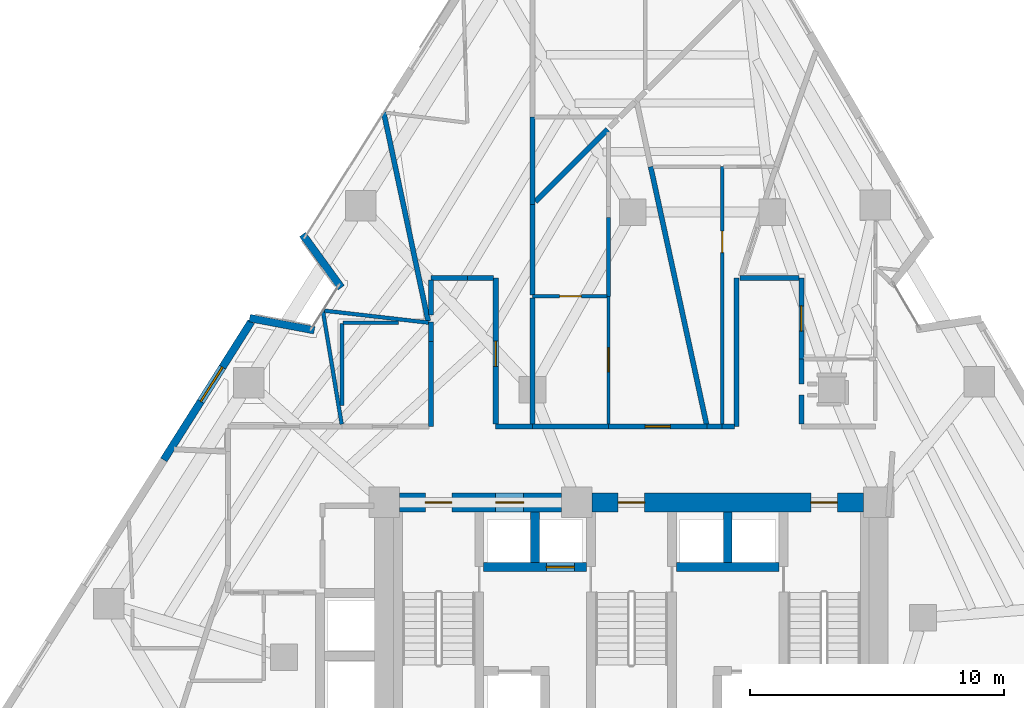
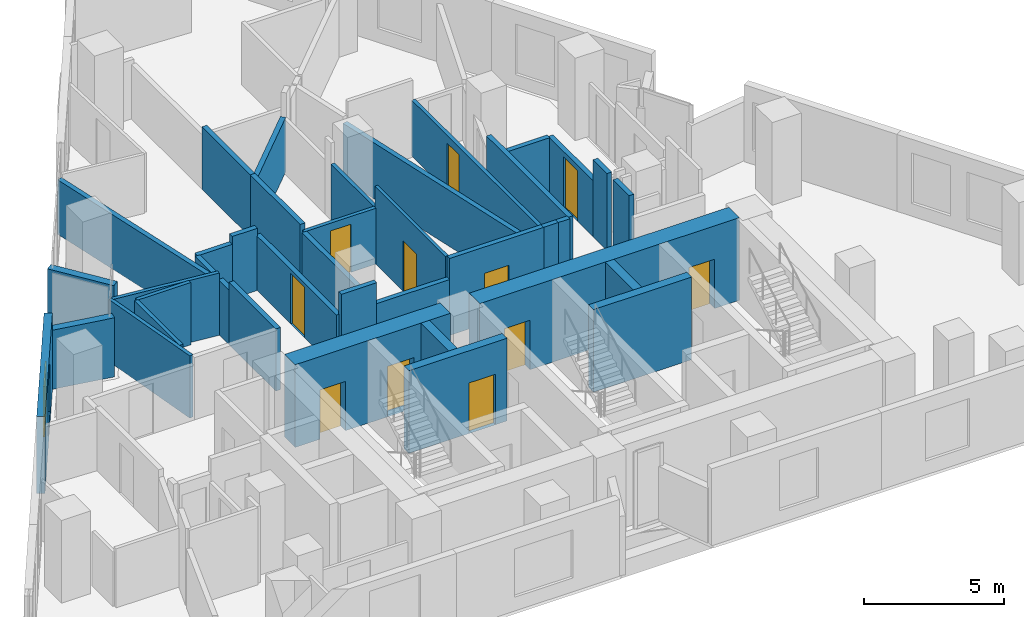
# One storey, part 7 of 12: 39 walls, 11 doors, 1 window, 12 openings.
"""IFC4 building model written with IfcOpenShell, lengths in metres."""

from ifc_helpers import new_model, si_unit, direction, frame, frame_2d, origin, place, context, subcontext, project, spatial, rectangle, extrude, material, layer, layer_set, type_object, element, fill, save


model = new_model("IFC4")

# Units and contexts
model_context = context("Model", 3, precision=1e-05, world=origin(), true_north=direction((0.0, 1.0)))
body_context = subcontext(model_context, "Body", "Model", "MODEL_VIEW")
ifc_project = project(units=[si_unit("LENGTHUNIT", "METRE"), si_unit("AREAUNIT", "SQUARE_METRE"), si_unit("VOLUMEUNIT", "CUBIC_METRE"), si_unit("PLANEANGLEUNIT", "RADIAN"), si_unit("MASSUNIT", "GRAM", prefix="KILO")], contexts=[model_context])

# Site, building, storey
site_placement = place(None, origin())
site = spatial("IfcSite", under=ifc_project, at=site_placement, CompositionType="ELEMENT")
building_placement = place(site_placement, origin())
building = spatial("IfcBuilding", under=site, at=building_placement, Name="Almagre Mirador Tower", CompositionType="ELEMENT")
storey_placement = place(building_placement, frame((0.0, 0.0, 114.0)))
storey = spatial("IfcBuildingStorey", under=building, at=storey_placement, Name="L28", CompositionType="ELEMENT", Elevation=114.0)

# Walls
ifc_material_1 = material(Name="Precast concrete C50/60", Category="concrete")
ifc_layer_1 = layer(ifc_material_1, 0.300048828125)
ifc_layer_set_1 = layer_set([ifc_layer_1], Name="Precast concrete C50/60")
wall_type_1 = type_object("IfcWallType", Name="WAL-EXT-300", PredefinedType="SOLIDWALL", material=ifc_layer_set_1)
for number, where, z_axis, x_axis, name in (
    (1, (22.246337890625, 22.02099609375, 0.0), (0.0, 0.0, 1.0), (0.982733402646, -0.185027185367, 0.0), "L28 expressed almagre precast frame wall 01"),
    (2, (25.8583984375, 23.2197265625, 0.0), (0.0, 0.0, 1.0), (-0.587763102288, 0.809033086832, 0.0), "L28 expressed almagre precast frame wall 02"),
):
    element("IfcWall", number, at=place(storey_placement, frame(where, z_axis=z_axis, x_axis=x_axis)), inside=storey, type_object=wall_type_1, Name=name, PredefinedType="SOLIDWALL", context=body_context, shape_type="SweptSolid", body=[
        extrude(rectangle(XDim=2.593994140625, YDim=0.300048828125, at=frame_2d((1.296875, 0.0))), origin(), (0.0, 0.0, 1.0), 2.574951171875),
    ])

# Wall, opening, window
wall_1_placement = place(storey_placement, frame((18.860595703125, 16.429443359375, 0.0), z_axis=(0.0, 0.0, 1.0), x_axis=(0.534891708764, 0.844920623429, 0.0)))
wall_1 = element("IfcWall", 3, at=wall_1_placement, inside=storey, type_object=wall_type_1, Name="L28 expressed almagre precast frame wall 35", PredefinedType="SOLIDWALL", context=body_context, shape_type="SweptSolid", body=[
    extrude(rectangle(XDim=6.447021484375, YDim=0.300048828125, at=frame_2d((3.2236328125, 0.0))), origin(), (0.0, 0.0, 1.0), 3.35009765625),
])
opening_1_placement = place(wall_1_placement, frame((2.72509765625, 0.0, 0.550048828125)))
opening_1 = element("IfcOpeningElement", 4, at=opening_1_placement, cuts=wall_1, Name="Opening WN-06", PredefinedType="OPENING", context=body_context, shape_type="SweptSolid", body=[
    extrude(rectangle(XDim=1.60009765625, YDim=2.199951171875, at=frame_2d((0.800048828125, 1.10009765625))), frame((0.0, 0.159902, 0.0), z_axis=(0.0, -1.0, 0.0), x_axis=(1.0, 0.0, 0.0)), (0.0, 0.0, 1.0), 0.320049),
])
ifc_material_2 = material(Name="Dark solar-control laminated hurricane glass", Category="glass")
window_type = type_object("IfcWindowType", Name="WIN-1600X2200", PartitioningType="DOUBLE_PANEL_VERTICAL", PredefinedType="WINDOW", material=ifc_material_2)
window_placement = place(opening_1_placement, origin())
window = element("IfcWindow", 5, at=window_placement, inside=storey, type_object=window_type, Name="L28 recessed hurricane window L28-UF-ST", OverallHeight=2.199951171875, OverallWidth=1.60009765625, PartitioningType="SINGLE_PANEL", PredefinedType="WINDOW", context=body_context, shape_type="SweptSolid", body=[
    extrude(rectangle(XDim=1.60009765625, YDim=2.199951171875, at=frame_2d((0.800048828125, 1.10009765625))), frame((0.0, 0.030029296875, 0.0), z_axis=(0.0, -1.0, 0.0), x_axis=(1.0, 0.0, 0.0)), (0.0, 0.0, 1.0), 0.06005859375),
])
fill(opening_1, window)

# Wall, opening, door
ifc_material_3 = material(Name="Gypsum acoustic stud partition", Category="other")
ifc_layer_2 = layer(ifc_material_3, 0.125)
ifc_layer_set_2 = layer_set([ifc_layer_2], Name="Gypsum acoustic stud partition")
wall_type_2 = type_object("IfcWallType", Name="WAL-PRT-125-UTL", PredefinedType="PARTITIONING", material=ifc_layer_set_2)
wall_2_placement = place(storey_placement, frame((36.39990234375, 22.8798828125, 0.0), z_axis=(0.0, 0.0, 1.0), x_axis=(0.0, -1.0, 0.0)))
wall_2 = element("IfcWall", 6, at=wall_2_placement, inside=storey, type_object=wall_type_2, Name="L28 interior partition 059", PredefinedType="PARTITIONING", context=body_context, shape_type="SweptSolid", body=[
    extrude(rectangle(XDim=5.044921875, YDim=0.125, at=frame_2d((2.5224609375, 0.0))), origin(), (0.0, 0.0, 1.0), 3.35009765625),
])
opening_2_placement = place(wall_2_placement, frame((2.031005859375, 0.0, 0.0)))
opening_2 = element("IfcOpeningElement", 7, at=opening_2_placement, cuts=wall_2, Name="Opening UD-01", PredefinedType="OPENING", context=body_context, shape_type="SweptSolid", body=[
    extrude(rectangle(XDim=0.949951171875, YDim=2.199951171875, at=frame_2d((0.47509765625, 1.10009765625))), frame((0.0, 0.0725, 0.0), z_axis=(0.0, -1.0, 0.0), x_axis=(1.0, 0.0, 0.0)), (0.0, 0.0, 1.0), 0.145),
])
ifc_material_4 = material(Name="Solid American walnut timber", Category="wood")
door_type_1 = type_object("IfcDoorType", Name="DOR-UNR-950X2200", OperationType="NOTDEFINED", PredefinedType="DOOR", material=ifc_material_4)
door_1_placement = place(opening_2_placement, origin())
door_1 = element("IfcDoor", 8, at=door_1_placement, inside=storey, type_object=door_type_1, Name="DR-0924 L28 interior door L28-UG-ST to L28-UG-KT", OperationType="SINGLE_SWING_RIGHT", OverallHeight=2.199951171875, OverallWidth=0.949951171875, PredefinedType="DOOR", context=body_context, shape_type="SweptSolid", body=[
    extrude(rectangle(XDim=0.949951171875, YDim=2.199951171875, at=frame_2d((0.47509765625, 1.10009765625))), frame((0.0, 0.02490234375, 0.0), z_axis=(0.0, -1.0, 0.0), x_axis=(1.0, 0.0, 0.0)), (0.0, 0.0, 1.0), 0.050048828125),
])
fill(opening_2, door_1)

# Walls
ifc_material_5 = material(Name="Gypsum acoustic stud partition", Category="other")
ifc_layer_3 = layer(ifc_material_5, 0.14990234375)
ifc_layer_set_3 = layer_set([ifc_layer_3], Name="Gypsum acoustic stud partition")
wall_type_3 = type_object("IfcWallType", Name="WAL-PRT-150-STD", PredefinedType="PARTITIONING", material=ifc_layer_set_3)
wall_3_placement = place(storey_placement, frame((25.876220703125, 17.833984375, 0.0), z_axis=(0.0, 0.0, 1.0), x_axis=(-0.163258044995, 0.986583402832, 0.0)))
element("IfcWall", 9, at=wall_3_placement, inside=storey, type_object=wall_type_3, Name="L28 interior partition 054", PredefinedType="PARTITIONING", context=body_context, shape_type="SweptSolid", body=[
    extrude(rectangle(XDim=4.546142578125, YDim=0.14990234375, at=frame_2d((2.27294921875, 0.0))), origin(), (0.0, 0.0, 1.0), 2.7119140625),
])
wall_4_placement = place(storey_placement, frame((29.300048828125, 21.840087890625, 0.0), z_axis=(0.0, 0.0, 1.0), x_axis=(-0.993461085134, 0.114171241234, 0.0)))
element("IfcWall", 10, at=wall_4_placement, inside=storey, type_object=wall_type_3, Name="L28 interior partition 055", PredefinedType="PARTITIONING", context=body_context, shape_type="SweptSolid", body=[
    extrude(rectangle(XDim=4.133544921875, YDim=0.14990234375, at=frame_2d((2.06689453125, 0.0))), origin(), (0.0, 0.0, 1.0), 2.7119140625),
])
wall_5_placement = place(storey_placement, frame((36.39990234375, 25.97998046875, 0.0), z_axis=(0.0, 0.0, 1.0), x_axis=(0.0, -1.0, 0.0)))
element("IfcWall", 11, at=wall_5_placement, inside=storey, type_object=wall_type_3, Name="L28 interior partition 057", PredefinedType="PARTITIONING", context=body_context, shape_type="SweptSolid", body=[
    extrude(rectangle(XDim=3.10009765625, YDim=0.14990234375, at=frame_2d((1.550048828125, 0.0))), origin(), (0.0, 0.0, 1.0), 2.43603515625),
])

# Wall, opening, door
wall_6_placement = place(storey_placement, frame((33.39990234375, 22.8798828125, 0.0), z_axis=(0.0, 0.0, 1.0), x_axis=(1.0, 0.0, 0.0)))
wall_6 = element("IfcWall", 12, at=wall_6_placement, inside=storey, type_object=wall_type_3, Name="L28 interior partition 064", PredefinedType="PARTITIONING", context=body_context, shape_type="SweptSolid", body=[
    extrude(rectangle(XDim=2.940185546875, YDim=0.14990234375, at=frame_2d((1.47021484375, 0.0))), origin(), (0.0, 0.0, 1.0), 2.43603515625),
])
opening_3_placement = place(wall_6_placement, frame((1.074951171875, 0.0, 0.0)))
opening_3 = element("IfcOpeningElement", 13, at=opening_3_placement, cuts=wall_6, Name="Opening UD-04", PredefinedType="OPENING", context=body_context, shape_type="SweptSolid", body=[
    extrude(rectangle(XDim=0.85009765625, YDim=2.10009765625, at=frame_2d((0.425048828125, 1.050048828125))), frame((0.0, 0.084951, 0.0), z_axis=(0.0, -1.0, 0.0), x_axis=(1.0, 0.0, 0.0)), (0.0, 0.0, 1.0), 0.169902),
])
ifc_material_6 = material(Name="Moisture-resistant oak timber", Category="wood")
door_type_2 = type_object("IfcDoorType", Name="DOR-UNR-850X2100", OperationType="NOTDEFINED", PredefinedType="DOOR", material=ifc_material_6)
door_2_placement = place(opening_3_placement, origin())
door_2 = element("IfcDoor", 14, at=door_2_placement, inside=storey, type_object=door_type_2, Name="DR-0925 L28 interior door L28-UG-BT to L28-UG-KT", OperationType="SINGLE_SWING_LEFT", OverallHeight=2.10009765625, OverallWidth=0.85009765625, PredefinedType="DOOR", context=body_context, shape_type="SweptSolid", body=[
    extrude(rectangle(XDim=0.85009765625, YDim=2.10009765625, at=frame_2d((0.425048828125, 1.050048828125))), frame((0.0, 0.02490234375, 0.0), z_axis=(0.0, -1.0, 0.0), x_axis=(1.0, 0.0, 0.0)), (0.0, 0.0, 1.0), 0.050048828125),
])
fill(opening_3, door_2)

wall_7_placement = place(storey_placement, frame((40.8798828125, 27.989990234375, 0.0), z_axis=(0.0, 0.0, 1.0), x_axis=(0.0, -1.0, 0.0)))
wall_7 = element("IfcWall", 15, at=wall_7_placement, inside=storey, type_object=wall_type_3, Name="L28 interior partition 082", PredefinedType="PARTITIONING", context=body_context, shape_type="SweptSolid", body=[
    extrude(rectangle(XDim=10.155029296875, YDim=0.14990234375, at=frame_2d((5.07763671875, 0.0))), origin(), (0.0, 0.0, 1.0), 2.43603515625),
])
opening_4_placement = place(wall_7_placement, frame((2.537353515625, 0.0, 0.0)))
opening_4 = element("IfcOpeningElement", 16, at=opening_4_placement, cuts=wall_7, Name="Opening UD-04", PredefinedType="OPENING", context=body_context, shape_type="SweptSolid", body=[
    extrude(rectangle(XDim=0.85009765625, YDim=2.10009765625, at=frame_2d((0.425048828125, 1.050048828125))), frame((0.0, 0.084951, 0.0), z_axis=(0.0, -1.0, 0.0), x_axis=(1.0, 0.0, 0.0)), (0.0, 0.0, 1.0), 0.169902),
])
door_3_placement = place(opening_4_placement, origin())
door_3 = element("IfcDoor", 17, at=door_3_placement, inside=storey, type_object=door_type_2, Name="DR-0933 L28 interior door L28-UK-ST to L28-UK-BT", OperationType="SINGLE_SWING_RIGHT", OverallHeight=2.10009765625, OverallWidth=0.85009765625, PredefinedType="DOOR", context=body_context, shape_type="SweptSolid", body=[
    extrude(rectangle(XDim=0.85009765625, YDim=2.10009765625, at=frame_2d((0.425048828125, 1.050048828125))), frame((0.0, 0.02490234375, 0.0), z_axis=(0.0, -1.0, 0.0), x_axis=(1.0, 0.0, 0.0)), (0.0, 0.0, 1.0), 0.050048828125),
])
fill(opening_4, door_3)

# Walls
wall_8_placement = place(storey_placement, frame((25.889892578125, 18.576904296875, 0.0), z_axis=(0.0, 0.0, 1.0), x_axis=(0.0, 1.0, 0.0)))
element("IfcWall", 18, at=wall_8_placement, inside=storey, type_object=wall_type_3, Name="L28 interior partition 094", PredefinedType="PARTITIONING", context=body_context, shape_type="SweptSolid", body=[
    extrude(rectangle(XDim=3.22314453125, YDim=0.14990234375, at=frame_2d((1.611572265625, 0.0))), origin(), (0.0, 0.0, 1.0), 2.7119140625),
])
wall_9_placement = place(storey_placement, frame((25.929931640625, 21.840087890625, 0.0), z_axis=(0.0, 0.0, 1.0), x_axis=(1.0, 0.0, 0.0)))
element("IfcWall", 19, at=wall_9_placement, inside=storey, type_object=wall_type_3, Name="L28 interior partition 095", PredefinedType="PARTITIONING", context=body_context, shape_type="SweptSolid", body=[
    extrude(rectangle(XDim=2.18798828125, YDim=0.14990234375, at=frame_2d((1.093994140625, 0.0))), origin(), (0.0, 0.0, 1.0), 2.7119140625),
])
ifc_material_7 = material(Name="Gypsum acoustic stud partition", Category="other")
ifc_layer_4 = layer(ifc_material_7, 0.199951171875)
ifc_layer_set_4 = layer_set([ifc_layer_4], Name="Gypsum acoustic stud partition")
wall_type_4 = type_object("IfcWallType", Name="WAL-PRT-200-EI60", PredefinedType="PARTITIONING", material=ifc_layer_set_4)
wall_10_placement = place(storey_placement, frame((29.39990234375, 21.10009765625, 0.0), z_axis=(0.0, 0.0, 1.0), x_axis=(0.0, -1.0, 0.0)))
element("IfcWall", 20, at=wall_10_placement, inside=storey, type_object=wall_type_4, Name="L28 interior partition 008", PredefinedType="PARTITIONING", context=body_context, shape_type="SweptSolid", body=[
    extrude(rectangle(XDim=3.35009765625, YDim=0.199951171875, at=frame_2d((1.675048828125, 0.0))), origin(), (0.0, 0.0, 1.0), 2.7119140625),
])

# Wall, opening, door
wall_11_placement = place(storey_placement, frame((40.280029296875, 17.75, 0.0), z_axis=(0.0, 0.0, 1.0), x_axis=(-1.0, 0.0, 0.0)))
wall_11 = element("IfcWall", 21, at=wall_11_placement, inside=storey, type_object=wall_type_4, Name="L28 interior partition 010", PredefinedType="PARTITIONING", context=body_context, shape_type="SweptSolid", body=[
    extrude(rectangle(XDim=3.880126953125, YDim=0.199951171875, at=frame_2d((1.93994140625, 0.0))), origin(), (0.0, 0.0, 1.0), 3.35009765625),
])
opening_5_placement = place(wall_11_placement, frame((1.43994140625, 0.0, 0.0)))
opening_5 = element("IfcOpeningElement", 22, at=opening_5_placement, cuts=wall_11, Name="Opening ID-01", PredefinedType="OPENING", context=body_context, shape_type="SweptSolid", body=[
    extrude(rectangle(XDim=1.0, YDim=2.199951171875, at=frame_2d((0.5, 1.10009765625))), frame((0.0, 0.110098, 0.0), z_axis=(0.0, -1.0, 0.0), x_axis=(1.0, 0.0, 0.0)), (0.0, 0.0, 1.0), 0.219951),
])
ifc_material_8 = material(Name="Fire-rated walnut timber", Category="wood")
door_type_3 = type_object("IfcDoorType", Name="DOR-FD60-1000X2200", OperationType="NOTDEFINED", PredefinedType="DOOR", material=ifc_material_8)
door_4_placement = place(opening_5_placement, origin())
door_4 = element("IfcDoor", 23, at=door_4_placement, inside=storey, type_object=door_type_3, Name="DR-0923 L28 interior door L28-RCOR to L28-UG-ST", OperationType="SINGLE_SWING_LEFT", OverallHeight=2.199951171875, OverallWidth=1.0, PredefinedType="DOOR", context=body_context, shape_type="SweptSolid", body=[
    extrude(rectangle(XDim=1.0, YDim=2.199951171875, at=frame_2d((0.5, 1.10009765625))), frame((0.0, 0.02490234375, 0.0), z_axis=(0.0, -1.0, 0.0), x_axis=(1.0, 0.0, 0.0)), (0.0, 0.0, 1.0), 0.050048828125),
])
fill(opening_5, door_4)

# Wall
wall_12_placement = place(storey_placement, frame((36.39990234375, 17.75, 0.0), z_axis=(0.0, 0.0, 1.0), x_axis=(-1.0, 0.0, 0.0)))
element("IfcWall", 24, at=wall_12_placement, inside=storey, type_object=wall_type_4, Name="L28 interior partition 011", PredefinedType="PARTITIONING", context=body_context, shape_type="SweptSolid", body=[
    extrude(rectangle(XDim=3.0, YDim=0.199951171875, at=frame_2d((1.5, 0.0))), origin(), (0.0, 0.0, 1.0), 2.43603515625),
])

# Wall, opening, door
wall_13_placement = place(storey_placement, frame((44.0, 20.409912109375, 0.0), z_axis=(0.0, 0.0, 1.0), x_axis=(0.0, 1.0, 0.0)))
wall_13 = element("IfcWall", 25, at=wall_13_placement, inside=storey, type_object=wall_type_4, Name="L28 interior partition 012", PredefinedType="PARTITIONING", context=body_context, shape_type="SweptSolid", body=[
    extrude(rectangle(XDim=3.190185546875, YDim=0.199951171875, at=frame_2d((1.59521484375, 0.0))), origin(), (0.0, 0.0, 1.0), 2.43603515625),
])
opening_6_placement = place(wall_13_placement, frame((1.094970703125, 0.0, 0.0)))
opening_6 = element("IfcOpeningElement", 26, at=opening_6_placement, cuts=wall_13, Name="Opening ID-01", PredefinedType="OPENING", context=body_context, shape_type="SweptSolid", body=[
    extrude(rectangle(XDim=1.0, YDim=2.199951171875, at=frame_2d((0.5, 1.10009765625))), frame((0.0, 0.110098, 0.0), z_axis=(0.0, -1.0, 0.0), x_axis=(1.0, 0.0, 0.0)), (0.0, 0.0, 1.0), 0.219951),
])
door_5_placement = place(opening_6_placement, origin())
door_5 = element("IfcDoor", 27, at=door_5_placement, inside=storey, type_object=door_type_3, Name="DR-0926 L28 interior door L28-RCOR to L28-UH-LV", OperationType="SINGLE_SWING_RIGHT", OverallHeight=2.199951171875, OverallWidth=1.0, PredefinedType="DOOR", context=body_context, shape_type="SweptSolid", body=[
    extrude(rectangle(XDim=1.0, YDim=2.199951171875, at=frame_2d((0.5, 1.10009765625))), frame((0.0, 0.02490234375, 0.0), z_axis=(0.0, -1.0, 0.0), x_axis=(1.0, 0.0, 0.0)), (0.0, 0.0, 1.0), 0.050048828125),
])
fill(opening_6, door_5)

# Walls
wall_14_placement = place(storey_placement, frame((43.9150390625, 23.60009765625, 0.0), z_axis=(0.0, 0.0, 1.0), x_axis=(-1.0, 0.0, 0.0)))
element("IfcWall", 28, at=wall_14_placement, inside=storey, type_object=wall_type_4, Name="L28 interior partition 013", PredefinedType="PARTITIONING", context=body_context, shape_type="SweptSolid", body=[
    extrude(rectangle(XDim=2.324951171875, YDim=0.199951171875, at=frame_2d((1.16259765625, 0.0))), origin(), (0.0, 0.0, 1.0), 2.43603515625),
])
wall_15_placement = place(storey_placement, frame((44.0, 17.8349609375, 0.0), z_axis=(0.0, 0.0, 1.0), x_axis=(0.0, 1.0, 0.0)))
element("IfcWall", 29, at=wall_15_placement, inside=storey, type_object=wall_type_4, Name="L28 interior partition 015", PredefinedType="PARTITIONING", context=body_context, shape_type="SweptSolid", body=[
    extrude(rectangle(XDim=1.14501953125, YDim=0.199951171875, at=frame_2d((0.572509765625, 0.0))), origin(), (0.0, 0.0, 1.0), 3.35009765625),
])
wall_16_placement = place(storey_placement, frame((44.0, 19.419921875, 0.0), z_axis=(0.0, 0.0, 1.0), x_axis=(0.0, 1.0, 0.0)))
element("IfcWall", 30, at=wall_16_placement, inside=storey, type_object=wall_type_4, Name="L28 interior partition 016", PredefinedType="PARTITIONING", context=body_context, shape_type="SweptSolid", body=[
    extrude(rectangle(XDim=0.989990234375, YDim=0.199951171875, at=frame_2d((0.4951171875, 0.0))), origin(), (0.0, 0.0, 1.0), 3.35009765625),
])
wall_17_placement = place(storey_placement, frame((33.39990234375, 17.75, 0.0), z_axis=(0.0, 0.0, 1.0), x_axis=(-1.0, 0.0, 0.0)))
element("IfcWall", 31, at=wall_17_placement, inside=storey, type_object=wall_type_4, Name="L28 interior partition 017", PredefinedType="PARTITIONING", context=body_context, shape_type="SweptSolid", body=[
    extrude(rectangle(XDim=1.449951171875, YDim=0.199951171875, at=frame_2d((0.72509765625, 0.0))), origin(), (0.0, 0.0, 1.0), 3.35009765625),
])

# Wall, opening, door
wall_18_placement = place(storey_placement, frame((31.949951171875, 17.8349609375, 0.0), z_axis=(0.0, 0.0, 1.0), x_axis=(0.0, 1.0, 0.0)))
wall_18 = element("IfcWall", 32, at=wall_18_placement, inside=storey, type_object=wall_type_4, Name="L28 interior partition 018", PredefinedType="PARTITIONING", context=body_context, shape_type="SweptSolid", body=[
    extrude(rectangle(XDim=5.76513671875, YDim=0.199951171875, at=frame_2d((2.882568359375, 0.0))), origin(), (0.0, 0.0, 1.0), 2.3720703125),
])
opening_7_placement = place(wall_18_placement, frame((2.281494140625, 0.0, 0.0)))
opening_7 = element("IfcOpeningElement", 33, at=opening_7_placement, cuts=wall_18, Name="Opening ID-01", PredefinedType="OPENING", context=body_context, shape_type="SweptSolid", body=[
    extrude(rectangle(XDim=1.0, YDim=2.199951171875, at=frame_2d((0.5, 1.10009765625))), frame((0.0, 0.110098, 0.0), z_axis=(0.0, -1.0, 0.0), x_axis=(1.0, 0.0, 0.0)), (0.0, 0.0, 1.0), 0.219951),
])
door_6_placement = place(opening_7_placement, origin())
door_6 = element("IfcDoor", 34, at=door_6_placement, inside=storey, type_object=door_type_3, Name="DR-0930 L28 interior door L28-RCOR to L28-UJ-LV", OperationType="SINGLE_SWING_RIGHT", OverallHeight=2.199951171875, OverallWidth=1.0, PredefinedType="DOOR", context=body_context, shape_type="SweptSolid", body=[
    extrude(rectangle(XDim=1.0, YDim=2.199951171875, at=frame_2d((0.5, 1.10009765625))), frame((0.0, 0.02490234375, 0.0), z_axis=(0.0, -1.0, 0.0), x_axis=(1.0, 0.0, 0.0)), (0.0, 0.0, 1.0), 0.050048828125),
])
fill(opening_7, door_6)

# Walls
wall_19_placement = place(storey_placement, frame((31.864990234375, 23.60009765625, 0.0), z_axis=(0.0, 0.0, 1.0), x_axis=(-1.0, 0.0, 0.0)))
element("IfcWall", 35, at=wall_19_placement, inside=storey, type_object=wall_type_4, Name="L28 interior partition 019", PredefinedType="PARTITIONING", context=body_context, shape_type="SweptSolid", body=[
    extrude(rectangle(XDim=1.034912109375, YDim=0.199951171875, at=frame_2d((0.517578125, 0.0))), origin(), (0.0, 0.0, 1.0), 2.7119140625),
])
wall_20_placement = place(storey_placement, frame((30.830078125, 23.60009765625, 0.0), z_axis=(0.0, 0.0, 1.0), x_axis=(-1.0, 0.0, 0.0)))
element("IfcWall", 36, at=wall_20_placement, inside=storey, type_object=wall_type_4, Name="L28 interior partition 020", PredefinedType="PARTITIONING", context=body_context, shape_type="SweptSolid", body=[
    extrude(rectangle(XDim=1.43017578125, YDim=0.199951171875, at=frame_2d((0.715087890625, 0.0))), origin(), (0.0, 0.0, 1.0), 2.3720703125),
])
wall_21_placement = place(storey_placement, frame((29.39990234375, 23.514892578125, 0.0), z_axis=(0.0, 0.0, 1.0), x_axis=(0.0, -1.0, 0.0)))
element("IfcWall", 37, at=wall_21_placement, inside=storey, type_object=wall_type_4, Name="L28 interior partition 021", PredefinedType="PARTITIONING", context=body_context, shape_type="SweptSolid", body=[
    extrude(rectangle(XDim=1.376953125, YDim=0.199951171875, at=frame_2d((0.6884765625, 0.0))), origin(), (0.0, 0.0, 1.0), 2.3720703125),
])
wall_22_placement = place(storey_placement, frame((41.449951171875, 23.60009765625, 0.0), z_axis=(0.0, 0.0, 1.0), x_axis=(0.0, -1.0, 0.0)))
element("IfcWall", 38, at=wall_22_placement, inside=storey, type_object=wall_type_4, Name="L28 interior partition 022", PredefinedType="PARTITIONING", context=body_context, shape_type="SweptSolid", body=[
    extrude(rectangle(XDim=5.85009765625, YDim=0.199951171875, at=frame_2d((2.925048828125, 0.0))), origin(), (0.0, 0.0, 1.0), 3.35009765625),
])
wall_23_placement = place(storey_placement, frame((41.364990234375, 17.75, 0.0), z_axis=(0.0, 0.0, 1.0), x_axis=(-1.0, 0.0, 0.0)))
element("IfcWall", 39, at=wall_23_placement, inside=storey, type_object=wall_type_4, Name="L28 interior partition 023", PredefinedType="PARTITIONING", context=body_context, shape_type="SweptSolid", body=[
    extrude(rectangle(XDim=0.485107421875, YDim=0.199951171875, at=frame_2d((0.24267578125, 0.0))), origin(), (0.0, 0.0, 1.0), 3.35009765625),
])
wall_24_placement = place(storey_placement, frame((40.8798828125, 17.75, 0.0), z_axis=(0.0, 0.0, 1.0), x_axis=(-1.0, 0.0, 0.0)))
element("IfcWall", 40, at=wall_24_placement, inside=storey, type_object=wall_type_4, Name="L28 interior partition 024", PredefinedType="PARTITIONING", context=body_context, shape_type="SweptSolid", body=[
    extrude(rectangle(XDim=0.599853515625, YDim=0.199951171875, at=frame_2d((0.2998046875, 0.0))), origin(), (0.0, 0.0, 1.0), 3.35009765625),
])
wall_25_placement = place(storey_placement, frame((29.28759765625, 21.898681640625, 0.0), z_axis=(0.0, 0.0, 1.0), x_axis=(-0.208508604507, 0.978020532426, 0.0)))
element("IfcWall", 41, at=wall_25_placement, inside=storey, type_object=wall_type_4, Name="L28 interior partition 056", PredefinedType="PARTITIONING", context=body_context, shape_type="SweptSolid", body=[
    extrude(rectangle(XDim=8.415283203125, YDim=0.199951171875, at=frame_2d((4.20751953125, 0.0))), origin(), (0.0, 0.0, 1.0), 2.3720703125),
])
wall_26_placement = place(storey_placement, frame((40.261962890625, 17.8330078125, 0.0), z_axis=(0.0, 0.0, 1.0), x_axis=(-0.211865908249, 0.977298744971, 0.0)))
element("IfcWall", 42, at=wall_26_placement, inside=storey, type_object=wall_type_4, Name="L28 interior partition 060", PredefinedType="PARTITIONING", context=body_context, shape_type="SweptSolid", body=[
    extrude(rectangle(XDim=10.392822265625, YDim=0.199951171875, at=frame_2d((5.1962890625, 0.0))), origin(), (0.0, 0.0, 1.0), 2.43603515625),
])
wall_27_placement = place(storey_placement, frame((33.39990234375, 26.5, 0.0), z_axis=(0.0, 0.0, 1.0), x_axis=(0.0, -1.0, 0.0)))
element("IfcWall", 43, at=wall_27_placement, inside=storey, type_object=wall_type_4, Name="L28 interior partition 065", PredefinedType="PARTITIONING", context=body_context, shape_type="SweptSolid", body=[
    extrude(rectangle(XDim=3.56005859375, YDim=0.199951171875, at=frame_2d((1.780029296875, 0.0))), origin(), (0.0, 0.0, 1.0), 2.7119140625),
])
wall_28_placement = place(storey_placement, frame((36.357666015625, 29.45751953125, 0.0), z_axis=(0.0, 0.0, 1.0), x_axis=(-0.707137163672, -0.707076397395, 0.0)))
element("IfcWall", 44, at=wall_28_placement, inside=storey, type_object=wall_type_4, Name="L28 interior partition 066", PredefinedType="PARTITIONING", context=body_context, shape_type="SweptSolid", body=[
    extrude(rectangle(XDim=4.017578125, YDim=0.199951171875, at=frame_2d((2.0087890625, 0.0))), origin(), (0.0, 0.0, 1.0), 2.3720703125),
])
wall_29_placement = place(storey_placement, frame((33.39990234375, 22.820068359375, 0.0), z_axis=(0.0, 0.0, 1.0), x_axis=(0.0, -1.0, 0.0)))
element("IfcWall", 45, at=wall_29_placement, inside=storey, type_object=wall_type_4, Name="L28 interior partition 067", PredefinedType="PARTITIONING", context=body_context, shape_type="SweptSolid", body=[
    extrude(rectangle(XDim=4.985107421875, YDim=0.199951171875, at=frame_2d((2.49267578125, 0.0))), origin(), (0.0, 0.0, 1.0), 2.43603515625),
])
wall_30_placement = place(storey_placement, frame((33.39990234375, 26.5, 0.0), z_axis=(0.0, 0.0, 1.0), x_axis=(0.0, 1.0, 0.0)))
element("IfcWall", 46, at=wall_30_placement, inside=storey, type_object=wall_type_4, Name="L28 interior partition 079", PredefinedType="PARTITIONING", context=body_context, shape_type="SweptSolid", body=[
    extrude(rectangle(XDim=3.449951171875, YDim=0.199951171875, at=frame_2d((1.72509765625, 0.0))), origin(), (0.0, 0.0, 1.0), 2.7119140625),
])
wall_31_placement = place(storey_placement, frame((29.39990234375, 21.861083984375, 0.0), z_axis=(0.0, 0.0, 1.0), x_axis=(0.0, -1.0, 0.0)))
element("IfcWall", 47, at=wall_31_placement, inside=storey, type_object=wall_type_4, Name="L28 interior partition 111", PredefinedType="PARTITIONING", context=body_context, shape_type="SweptSolid", body=[
    extrude(rectangle(XDim=0.760986328125, YDim=0.199951171875, at=frame_2d((0.38037109375, 0.0))), origin(), (0.0, 0.0, 1.0), 2.3720703125),
])

# Wall, opening, door
ifc_material_9 = material(Name="Concrete C60/75", Category="concrete")
ifc_layer_5 = layer(ifc_material_9, 0.35009765625)
ifc_layer_set_5 = layer_set([ifc_layer_5], Name="Concrete C60/75")
wall_type_5 = type_object("IfcWallType", Name="WAL-SHF-350", PredefinedType="SOLIDWALL", material=ifc_layer_set_5)
wall_32_placement = place(storey_placement, frame((31.47509765625, 12.199951171875, 0.0), z_axis=(0.0, 0.0, 1.0), x_axis=(1.0, 0.0, 0.0)))
wall_32 = element("IfcWall", 48, at=wall_32_placement, inside=storey, type_object=wall_type_5, Name="L28 shaft wall PLM-S", PredefinedType="SOLIDWALL", context=body_context, shape_type="SweptSolid", body=[
    extrude(rectangle(XDim=4.0498046875, YDim=0.35009765625, at=frame_2d((2.02490234375, 0.0))), origin(), (0.0, 0.0, 1.0), 3.60009765625),
])
opening_8_placement = place(wall_32_placement, frame((2.47509765625, 0.0, 0.0)))
opening_8 = element("IfcOpeningElement", 49, at=opening_8_placement, cuts=wall_32, Name="Opening LD-01", PredefinedType="OPENING", context=body_context, shape_type="SweptSolid", body=[
    extrude(rectangle(XDim=1.10009765625, YDim=2.199951171875, at=frame_2d((0.550048828125, 1.10009765625))), frame((0.0, 0.185049, 0.0), z_axis=(0.0, -1.0, 0.0), x_axis=(1.0, 0.0, 0.0)), (0.0, 0.0, 1.0), 0.370098),
])
ifc_material_10 = material(Name="Hollow stainless steel", Category="steel")
door_type_4 = type_object("IfcDoorType", Name="DOR-LD-1100X2200", OperationType="DOUBLE_DOOR_SLIDING", PredefinedType="DOOR", material=ifc_material_10)
door_7_placement = place(opening_8_placement, origin())
door_7 = element("IfcDoor", 50, at=door_7_placement, inside=storey, type_object=door_type_4, Name="DR-0940 L28 PL-M2 lift landing door", OperationType="DOUBLE_DOOR_SLIDING", OverallHeight=2.199951171875, OverallWidth=1.10009765625, PredefinedType="DOOR", context=body_context, shape_type="SweptSolid", body=[
    extrude(rectangle(XDim=1.10009765625, YDim=2.199951171875, at=frame_2d((0.550048828125, 1.10009765625))), frame((0.0, 0.02490234375, 0.0), z_axis=(0.0, -1.0, 0.0), x_axis=(1.0, 0.0, 0.0)), (0.0, 0.0, 1.0), 0.050048828125),
])
fill(opening_8, door_7)

# Walls
wall_33_placement = place(storey_placement, frame((33.5, 12.375, 0.0), z_axis=(0.0, 0.0, 1.0), x_axis=(0.0, 1.0, 0.0)))
element("IfcWall", 51, at=wall_33_placement, inside=storey, type_object=wall_type_5, Name="L28 shaft wall PLM-M", PredefinedType="SOLIDWALL", context=body_context, shape_type="SweptSolid", body=[
    extrude(rectangle(XDim=2.0, YDim=0.35009765625, at=frame_2d((1.0, 0.0))), origin(), (0.0, 0.0, 1.0), 3.60009765625),
])
wall_34_placement = place(storey_placement, frame((39.074951171875, 12.199951171875, 0.0), z_axis=(0.0, 0.0, 1.0), x_axis=(1.0, 0.0, 0.0)))
element("IfcWall", 52, at=wall_34_placement, inside=storey, type_object=wall_type_5, Name="L28 shaft wall PLH-S", PredefinedType="SOLIDWALL", context=body_context, shape_type="SweptSolid", body=[
    extrude(rectangle(XDim=4.050048828125, YDim=0.35009765625, at=frame_2d((2.02490234375, 0.0))), origin(), (0.0, 0.0, 1.0), 3.60009765625),
])
wall_35_placement = place(storey_placement, frame((41.10009765625, 12.375, 0.0), z_axis=(0.0, 0.0, 1.0), x_axis=(0.0, 1.0, 0.0)))
element("IfcWall", 53, at=wall_35_placement, inside=storey, type_object=wall_type_5, Name="L28 shaft wall PLH-M", PredefinedType="SOLIDWALL", context=body_context, shape_type="SweptSolid", body=[
    extrude(rectangle(XDim=2.0, YDim=0.35009765625, at=frame_2d((1.0, 0.0))), origin(), (0.0, 0.0, 1.0), 3.60009765625),
])

# Wall, openings, doors
ifc_material_11 = material(Name="Concrete C60/75", Category="concrete")
ifc_layer_6 = layer(ifc_material_11, 0.75)
ifc_layer_set_6 = layer_set([ifc_layer_6], Name="Concrete C60/75")
wall_type_6 = type_object("IfcWallType", Name="WAL-SHR-750", PredefinedType="SHEAR", material=ifc_layer_set_6)
wall_36_placement = place(storey_placement, frame((28.14990234375, 14.75, 0.0), z_axis=(0.0, 0.0, 1.0), x_axis=(1.0, 0.0, 0.0)))
wall_36 = element("IfcWall", 54, at=wall_36_placement, inside=storey, type_object=wall_type_6, Name="L28 core shear wall N1", PredefinedType="SHEAR", context=body_context, shape_type="SweptSolid", body=[
    extrude(rectangle(XDim=6.400146484375, YDim=0.75, at=frame_2d((3.2001953125, 0.0))), origin(), (0.0, 0.0, 1.0), 3.60009765625),
])
opening_9_placement = place(wall_36_placement, frame((1.02490234375, 0.0, 0.0)))
opening_9 = element("IfcOpeningElement", 55, at=opening_9_placement, cuts=wall_36, Name="Opening SD-01", PredefinedType="OPENING", context=body_context, shape_type="SweptSolid", body=[
    extrude(rectangle(XDim=1.050048828125, YDim=2.14990234375, at=frame_2d((0.52490234375, 1.074951171875))), frame((0.0, 0.385, 0.0), z_axis=(0.0, -1.0, 0.0), x_axis=(1.0, 0.0, 0.0)), (0.0, 0.0, 1.0), 0.77),
])
opening_10_placement = place(wall_36_placement, frame((3.800048828125, 0.0, 0.0)))
opening_10 = element("IfcOpeningElement", 56, at=opening_10_placement, cuts=wall_36, Name="Opening LD-01", PredefinedType="OPENING", context=body_context, shape_type="SweptSolid", body=[
    extrude(rectangle(XDim=1.10009765625, YDim=2.199951171875, at=frame_2d((0.550048828125, 1.10009765625))), frame((0.0, 0.385, 0.0), z_axis=(0.0, -1.0, 0.0), x_axis=(1.0, 0.0, 0.0)), (0.0, 0.0, 1.0), 0.77),
])
door_8_placement = place(opening_10_placement, origin())
door_8 = element("IfcDoor", 57, at=door_8_placement, inside=storey, type_object=door_type_4, Name="DR-0939 L28 PL-M1 lift landing door", OperationType="DOUBLE_DOOR_SLIDING", OverallHeight=2.199951171875, OverallWidth=1.10009765625, PredefinedType="DOOR", context=body_context, shape_type="SweptSolid", body=[
    extrude(rectangle(XDim=1.10009765625, YDim=2.199951171875, at=frame_2d((0.550048828125, 1.10009765625))), frame((0.0, 0.02490234375, 0.0), z_axis=(0.0, -1.0, 0.0), x_axis=(1.0, 0.0, 0.0)), (0.0, 0.0, 1.0), 0.050048828125),
])
fill(opening_10, door_8)
ifc_material_12 = material(Name="Fire-rated hollow steel", Category="steel")
door_type_5 = type_object("IfcDoorType", Name="DOR-ST-1050X2150", OperationType="NOTDEFINED", PredefinedType="DOOR", material=ifc_material_12)
door_9_placement = place(opening_9_placement, origin())
door_9 = element("IfcDoor", 58, at=door_9_placement, inside=storey, type_object=door_type_5, Name="DR-0941 L28 protected exit stair ST-1 door", OperationType="SINGLE_SWING_RIGHT", OverallHeight=2.14990234375, OverallWidth=1.050048828125, PredefinedType="DOOR", context=body_context, shape_type="SweptSolid", body=[
    extrude(rectangle(XDim=1.050048828125, YDim=2.14990234375, at=frame_2d((0.52490234375, 1.074951171875))), frame((0.0, 0.02490234375, 0.0), z_axis=(0.0, -1.0, 0.0), x_axis=(1.0, 0.0, 0.0)), (0.0, 0.0, 1.0), 0.050048828125),
])
fill(opening_9, door_9)

wall_37_placement = place(storey_placement, frame((35.75, 14.75, 0.0), z_axis=(0.0, 0.0, 1.0), x_axis=(1.0, 0.0, 0.0)))
wall_37 = element("IfcWall", 59, at=wall_37_placement, inside=storey, type_object=wall_type_6, Name="L28 core shear wall N2", PredefinedType="SHEAR", context=body_context, shape_type="SweptSolid", body=[
    extrude(rectangle(XDim=10.699951171875, YDim=0.75, at=frame_2d((5.35009765625, 0.0))), origin(), (0.0, 0.0, 1.0), 3.60009765625),
])
opening_11_placement = place(wall_37_placement, frame((1.02490234375, 0.0, 0.0)))
opening_11 = element("IfcOpeningElement", 60, at=opening_11_placement, cuts=wall_37, Name="Opening SD-01", PredefinedType="OPENING", context=body_context, shape_type="SweptSolid", body=[
    extrude(rectangle(XDim=1.050048828125, YDim=2.14990234375, at=frame_2d((0.52490234375, 1.074951171875))), frame((0.0, 0.385, 0.0), z_axis=(0.0, -1.0, 0.0), x_axis=(1.0, 0.0, 0.0)), (0.0, 0.0, 1.0), 0.77),
])
opening_12_placement = place(wall_37_placement, frame((8.625, 0.0, 0.0)))
opening_12 = element("IfcOpeningElement", 61, at=opening_12_placement, cuts=wall_37, Name="Opening SD-01", PredefinedType="OPENING", context=body_context, shape_type="SweptSolid", body=[
    extrude(rectangle(XDim=1.050048828125, YDim=2.14990234375, at=frame_2d((0.52490234375, 1.074951171875))), frame((0.0, 0.385, 0.0), z_axis=(0.0, -1.0, 0.0), x_axis=(1.0, 0.0, 0.0)), (0.0, 0.0, 1.0), 0.77),
])
door_10_placement = place(opening_11_placement, origin())
door_10 = element("IfcDoor", 62, at=door_10_placement, inside=storey, type_object=door_type_5, Name="DR-0942 L28 protected exit stair ST-2 door", OperationType="SINGLE_SWING_RIGHT", OverallHeight=2.14990234375, OverallWidth=1.050048828125, PredefinedType="DOOR", context=body_context, shape_type="SweptSolid", body=[
    extrude(rectangle(XDim=1.050048828125, YDim=2.14990234375, at=frame_2d((0.52490234375, 1.074951171875))), frame((0.0, 0.02490234375, 0.0), z_axis=(0.0, -1.0, 0.0), x_axis=(1.0, 0.0, 0.0)), (0.0, 0.0, 1.0), 0.050048828125),
])
fill(opening_11, door_10)
door_11_placement = place(opening_12_placement, origin())
door_11 = element("IfcDoor", 63, at=door_11_placement, inside=storey, type_object=door_type_5, Name="DR-0943 L28 protected exit stair ST-3 door", OperationType="SINGLE_SWING_LEFT", OverallHeight=2.14990234375, OverallWidth=1.050048828125, PredefinedType="DOOR", context=body_context, shape_type="SweptSolid", body=[
    extrude(rectangle(XDim=1.050048828125, YDim=2.14990234375, at=frame_2d((0.52490234375, 1.074951171875))), frame((0.0, 0.02490234375, 0.0), z_axis=(0.0, -1.0, 0.0), x_axis=(1.0, 0.0, 0.0)), (0.0, 0.0, 1.0), 0.050048828125),
])
fill(opening_12, door_11)

save(model, "model.ifc")
